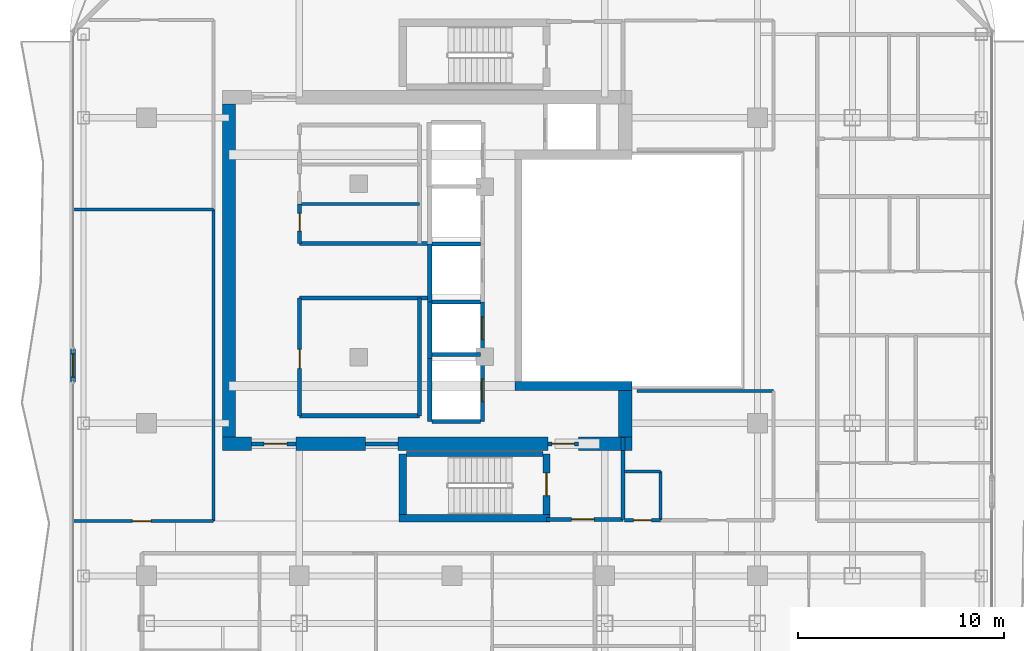
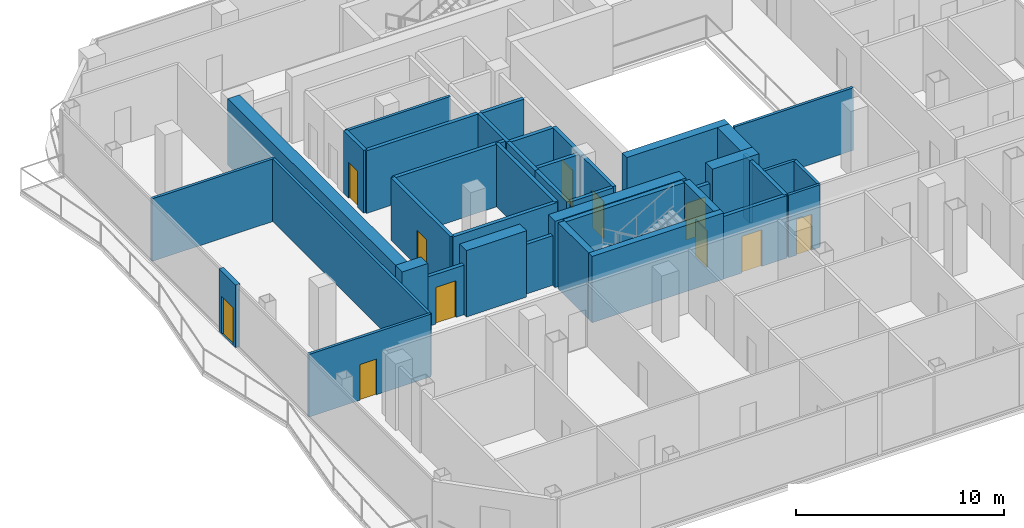
# One storey, part 21 of 27: 41 walls, 11 doors, 11 openings.
"""IFC4 building model written with IfcOpenShell, lengths in metres."""

from ifc_helpers import new_model, si_unit, direction, frame, frame_2d, origin, place, context, subcontext, project, spatial, rectangle, extrude, material, layer, layer_set, type_object, element, fill, save


model = new_model("IFC4")

# Units and contexts
model_context = context("Model", 3, precision=1e-05, world=origin(), true_north=direction((0.0, 1.0)))
body_context = subcontext(model_context, "Body", "Model", "MODEL_VIEW")
ifc_project = project(units=[si_unit("LENGTHUNIT", "METRE"), si_unit("AREAUNIT", "SQUARE_METRE"), si_unit("VOLUMEUNIT", "CUBIC_METRE"), si_unit("PLANEANGLEUNIT", "RADIAN"), si_unit("MASSUNIT", "GRAM", prefix="KILO")], contexts=[model_context])

# Site, building, storey
site_placement = place(None, origin())
site = spatial("IfcSite", under=ifc_project, at=site_placement, CompositionType="ELEMENT")
building_placement = place(site_placement, origin())
building = spatial("IfcBuilding", under=site, at=building_placement, Name="Khorvyn Point Tower", CompositionType="ELEMENT")
storey_placement = place(building_placement, frame((0.0, 0.0, 246.89990234375)))
storey = spatial("IfcBuildingStorey", under=building, at=storey_placement, Name="L60", CompositionType="ELEMENT", Elevation=246.89990234375)

# Wall, opening, door
ifc_material_1 = material(Name="Pale anodised aluminium rainscreen on steel stud", Category="steel")
ifc_layer_1 = layer(ifc_material_1, 0.239990234375)
ifc_layer_set_1 = layer_set([ifc_layer_1], Name="Anodised Aluminium Insulated Corner Spandrel Wall 240")
wall_type_1 = type_object("IfcWallType", Name="Anodised Aluminium Insulated Corner Spandrel Wall 240", PredefinedType="SOLIDWALL", material=ifc_layer_set_1)
wall_1_placement = place(storey_placement, frame((-18.35009765625, -5.39501953125, 0.0), z_axis=(0.0, 0.0, 1.0), x_axis=(0.0, 1.0, 0.0)))
wall_1 = element("IfcWall", 1, at=wall_1_placement, inside=storey, type_object=wall_type_1, Name="L60 West Outdoor Threshold Wall", PredefinedType="SOLIDWALL", context=body_context, shape_type="SweptSolid", body=[
    extrude(rectangle(XDim=1.580078125, YDim=0.239990234375, at=frame_2d((0.7900390625, 0.0))), origin(), (0.0, 0.0, 1.0), 3.68017578125),
])
opening_1_placement = place(wall_1_placement, frame((0.239990234375, 0.0, 0.0)))
opening_1 = element("IfcOpeningElement", 2, at=opening_1_placement, cuts=wall_1, Name="Opening BD-1122", PredefinedType="OPENING", context=body_context, shape_type="SweptSolid", body=[
    extrude(rectangle(XDim=1.10009765625, YDim=2.199951171875, at=frame_2d((0.550048828125, 1.10009765625))), frame((0.0, 0.1298828125, 0.0), z_axis=(0.0, -1.0, 0.0), x_axis=(1.0, 0.0, 0.0)), (0.0, 0.0, 1.0), 0.260009765625),
])
ifc_material_2 = material(Name="Anodised aluminium 6063-T6 and laminated Low-E glass", Category="aluminium")
door_type_1 = type_object("IfcDoorType", Name="Glazed Balcony and Terrace Threshold Door 1100x2200", OperationType="NOTDEFINED", PredefinedType="DOOR", material=ifc_material_2)
door_1_placement = place(opening_1_placement, origin())
door_1 = element("IfcDoor", 3, at=door_1_placement, inside=storey, type_object=door_type_1, Name="L60 West Glazed Balcony Outdoor Door", OperationType="SINGLE_SWING_RIGHT", OverallHeight=2.199951171875, OverallWidth=1.10009765625, PredefinedType="DOOR", context=body_context, shape_type="SweptSolid", body=[
    extrude(rectangle(XDim=1.10009765625, YDim=2.199951171875, at=frame_2d((0.550048828125, 1.10009765625))), frame((0.0, 0.02490234375, 0.0), z_axis=(0.0, -1.0, 0.0), x_axis=(1.0, 0.0, 0.0)), (0.0, 0.0, 1.0), 0.050048828125),
])
fill(opening_1, door_1)

# Walls
ifc_material_3 = material(Name="Concrete C40/50", Category="concrete")
ifc_layer_2 = layer(ifc_material_3, 0.449951171875)
ifc_layer_set_2 = layer_set([ifc_layer_2], Name="Concrete C40/50 Core Shear Wall 450")
wall_type_2 = type_object("IfcWallType", Name="Concrete C40/50 Core Shear Wall 450", PredefinedType="SHEAR", material=ifc_layer_set_2)
wall_2_placement = place(storey_placement, frame((3.044921875, -5.60009765625, 0.0), z_axis=(0.0, 0.0, 1.0), x_axis=(1.0, 0.0, 0.0)))
element("IfcWall", 4, at=wall_2_placement, inside=storey, type_object=wall_type_2, Name="Wall", PredefinedType="SHEAR", context=body_context, shape_type="SweptSolid", body=[
    extrude(rectangle(XDim=5.68017578125, YDim=0.449951171875, at=frame_2d((2.840087890625, 0.0))), origin(), (0.0, 0.0, 1.0), 3.900146484375),
])
ifc_layer_3 = layer(ifc_material_3, 0.64990234375)
ifc_layer_set_3 = layer_set([ifc_layer_3], Name="Concrete C40/50 Core Shear Wall 650")
wall_type_3 = type_object("IfcWallType", Name="Concrete C40/50 Core Shear Wall 650", PredefinedType="SHEAR", material=ifc_layer_set_3)
wall_3_placement = place(storey_placement, frame((-11.125, -8.39990234375, 0.0), z_axis=(0.0, 0.0, 1.0), x_axis=(1.0, 0.0, 0.0)))
element("IfcWall", 5, at=wall_3_placement, inside=storey, type_object=wall_type_3, Name="Wall", PredefinedType="SHEAR", context=body_context, shape_type="SweptSolid", body=[
    extrude(rectangle(XDim=1.425048828125, YDim=0.64990234375, at=frame_2d((0.71240234375, 0.0))), origin(), (0.0, 0.0, 1.0), 3.900146484375),
])
wall_4_placement = place(storey_placement, frame((-7.550048828125, -8.39990234375, 0.0), z_axis=(0.0, 0.0, 1.0), x_axis=(1.0, 0.0, 0.0)))
element("IfcWall", 6, at=wall_4_placement, inside=storey, type_object=wall_type_3, Name="Wall", PredefinedType="SHEAR", context=body_context, shape_type="SweptSolid", body=[
    extrude(rectangle(XDim=3.35009765625, YDim=0.64990234375, at=frame_2d((1.675048828125, 0.0))), origin(), (0.0, 0.0, 1.0), 3.900146484375),
])
wall_5_placement = place(storey_placement, frame((-2.6201171875, -8.39990234375, 0.0), z_axis=(0.0, 0.0, 1.0), x_axis=(1.0, 0.0, 0.0)))
element("IfcWall", 7, at=wall_5_placement, inside=storey, type_object=wall_type_3, Name="Wall", PredefinedType="SHEAR", context=body_context, shape_type="SweptSolid", body=[
    extrude(rectangle(XDim=7.27001953125, YDim=0.64990234375, at=frame_2d((3.635009765625, 0.0))), origin(), (0.0, 0.0, 1.0), 3.900146484375),
])
wall_6_placement = place(storey_placement, frame((6.1201171875, -8.39990234375, 0.0), z_axis=(0.0, 0.0, 1.0), x_axis=(1.0, 0.0, 0.0)))
element("IfcWall", 8, at=wall_6_placement, inside=storey, type_object=wall_type_3, Name="Wall", PredefinedType="SHEAR", context=body_context, shape_type="SweptSolid", body=[
    extrude(rectangle(XDim=2.60498046875, YDim=0.64990234375, at=frame_2d((1.302490234375, 0.0))), origin(), (0.0, 0.0, 1.0), 3.900146484375),
])
wall_7_placement = place(storey_placement, frame((-10.800048828125, -8.074951171875, 0.0), z_axis=(0.0, 0.0, 1.0), x_axis=(0.0, 1.0, 0.0)))
element("IfcWall", 9, at=wall_7_placement, inside=storey, type_object=wall_type_3, Name="Wall", PredefinedType="SHEAR", context=body_context, shape_type="SweptSolid", body=[
    extrude(rectangle(XDim=16.14990234375, YDim=0.64990234375, at=frame_2d((8.074951171875, 0.0))), origin(), (0.0, 0.0, 1.0), 3.900146484375),
])
wall_8_placement = place(storey_placement, frame((8.39990234375, -8.074951171875, 0.0), z_axis=(0.0, 0.0, 1.0), x_axis=(0.0, 1.0, 0.0)))
element("IfcWall", 10, at=wall_8_placement, inside=storey, type_object=wall_type_3, Name="Wall", PredefinedType="SHEAR", context=body_context, shape_type="SweptSolid", body=[
    extrude(rectangle(XDim=2.25, YDim=0.64990234375, at=frame_2d((1.125, 0.0))), origin(), (0.0, 0.0, 1.0), 3.900146484375),
])

# Wall, opening, door
ifc_layer_4 = layer(ifc_material_3, 0.199951171875)
ifc_layer_set_4 = layer_set([ifc_layer_4], Name="Concrete C40/50 Fire-Lobby Compartment Wall 200")
wall_type_4 = type_object("IfcWallType", Name="Concrete C40/50 Fire-Lobby Compartment Wall 200", PredefinedType="SOLIDWALL", material=ifc_layer_set_4)
wall_9_placement = place(storey_placement, frame((4.580078125, -12.06005859375, 0.0), z_axis=(0.0, 0.0, 1.0), x_axis=(1.0, 0.0, 0.0)))
wall_9 = element("IfcWall", 11, at=wall_9_placement, inside=storey, type_object=wall_type_4, Name="Wall", PredefinedType="SOLIDWALL", context=body_context, shape_type="SweptSolid", body=[
    extrude(rectangle(XDim=3.699951171875, YDim=0.199951171875, at=frame_2d((1.85009765625, 0.0))), origin(), (0.0, 0.0, 1.0), 3.68017578125),
])
opening_2_placement = place(wall_9_placement, frame((1.21240234375, 0.0, 0.0)))
opening_2 = element("IfcOpeningElement", 12, at=opening_2_placement, cuts=wall_9, Name="Opening ID-FL90", PredefinedType="OPENING", context=body_context, shape_type="SweptSolid", body=[
    extrude(rectangle(XDim=1.10009765625, YDim=2.14990234375, at=frame_2d((0.550048828125, 1.074951171875))), frame((0.0, 0.10986328125, 0.0), z_axis=(0.0, -1.0, 0.0), x_axis=(1.0, 0.0, 0.0)), (0.0, 0.0, 1.0), 0.219970703125),
])
ifc_material_4 = material(Name="Galvanised powder-coated steel", Category="steel")
door_type_2 = type_object("IfcDoorType", Name="Fire-Rated Steel Lobby and Stair Door 1100x2150", OperationType="NOTDEFINED", PredefinedType="DOOR", material=ifc_material_4)
door_2_placement = place(opening_2_placement, origin())
door_2 = element("IfcDoor", 13, at=door_2_placement, inside=storey, type_object=door_type_2, Name="Door", OperationType="SINGLE_SWING_LEFT", OverallHeight=2.14990234375, OverallWidth=1.10009765625, PredefinedType="DOOR", context=body_context, shape_type="SweptSolid", body=[
    extrude(rectangle(XDim=1.10009765625, YDim=2.14990234375, at=frame_2d((0.550048828125, 1.074951171875))), frame((0.0, 0.02490234375, 0.0), z_axis=(0.0, -1.0, 0.0), x_axis=(1.0, 0.0, 0.0)), (0.0, 0.0, 1.0), 0.050048828125),
])
fill(opening_2, door_2)

wall_10_placement = place(storey_placement, frame((4.64990234375, -8.39990234375, 0.0), z_axis=(0.0, 0.0, 1.0), x_axis=(1.0, 0.0, 0.0)))
wall_10 = element("IfcWall", 14, at=wall_10_placement, inside=storey, type_object=wall_type_4, Name="Wall", PredefinedType="SOLIDWALL", context=body_context, shape_type="SweptSolid", body=[
    extrude(rectangle(XDim=1.47021484375, YDim=0.199951171875, at=frame_2d((0.735107421875, 0.0))), origin(), (0.0, 0.0, 1.0), 2.920166015625),
])
opening_3_placement = place(wall_10_placement, frame((0.18505859375, 0.0, 0.0)))
opening_3 = element("IfcOpeningElement", 15, at=opening_3_placement, cuts=wall_10, Name="Opening ID-FL90", PredefinedType="OPENING", context=body_context, shape_type="SweptSolid", body=[
    extrude(rectangle(XDim=1.10009765625, YDim=2.14990234375, at=frame_2d((0.550048828125, 1.074951171875))), frame((0.0, 0.10986328125, 0.0), z_axis=(0.0, -1.0, 0.0), x_axis=(1.0, 0.0, 0.0)), (0.0, 0.0, 1.0), 0.219970703125),
])
door_3_placement = place(opening_3_placement, origin())
door_3 = element("IfcDoor", 16, at=door_3_placement, inside=storey, type_object=door_type_2, Name="Door", OperationType="SINGLE_SWING_RIGHT", OverallHeight=2.14990234375, OverallWidth=1.10009765625, PredefinedType="DOOR", context=body_context, shape_type="SweptSolid", body=[
    extrude(rectangle(XDim=1.10009765625, YDim=2.14990234375, at=frame_2d((0.550048828125, 1.074951171875))), frame((0.0, 0.02490234375, 0.0), z_axis=(0.0, -1.0, 0.0), x_axis=(1.0, 0.0, 0.0)), (0.0, 0.0, 1.0), 0.050048828125),
])
fill(opening_3, door_3)

wall_11_placement = place(storey_placement, frame((-9.699951171875, -8.39990234375, 0.0), z_axis=(0.0, 0.0, 1.0), x_axis=(1.0, 0.0, 0.0)))
wall_11 = element("IfcWall", 17, at=wall_11_placement, inside=storey, type_object=wall_type_4, Name="Wall", PredefinedType="SOLIDWALL", context=body_context, shape_type="SweptSolid", body=[
    extrude(rectangle(XDim=2.14990234375, YDim=0.199951171875, at=frame_2d((1.074951171875, 0.0))), origin(), (0.0, 0.0, 1.0), 2.920166015625),
])
opening_4_placement = place(wall_11_placement, frame((0.597900390625, 0.0, 0.0)))
opening_4 = element("IfcOpeningElement", 18, at=opening_4_placement, cuts=wall_11, Name="Opening ID-FL90", PredefinedType="OPENING", context=body_context, shape_type="SweptSolid", body=[
    extrude(rectangle(XDim=1.10009765625, YDim=2.14990234375, at=frame_2d((0.550048828125, 1.074951171875))), frame((0.0, 0.10986328125, 0.0), z_axis=(0.0, -1.0, 0.0), x_axis=(1.0, 0.0, 0.0)), (0.0, 0.0, 1.0), 0.219970703125),
])
door_4_placement = place(opening_4_placement, origin())
door_4 = element("IfcDoor", 19, at=door_4_placement, inside=storey, type_object=door_type_2, Name="Door", OperationType="SINGLE_SWING_RIGHT", OverallHeight=2.14990234375, OverallWidth=1.10009765625, PredefinedType="DOOR", context=body_context, shape_type="SweptSolid", body=[
    extrude(rectangle(XDim=1.10009765625, YDim=2.14990234375, at=frame_2d((0.550048828125, 1.074951171875))), frame((0.0, 0.02490234375, 0.0), z_axis=(0.0, -1.0, 0.0), x_axis=(1.0, 0.0, 0.0)), (0.0, 0.0, 1.0), 0.050048828125),
])
fill(opening_4, door_4)

wall_12_placement = place(storey_placement, frame((-7.3798828125, -7.0400390625, 0.0), z_axis=(0.0, 0.0, 1.0), x_axis=(0.0, 1.0, 0.0)))
wall_12 = element("IfcWall", 20, at=wall_12_placement, inside=storey, type_object=wall_type_4, Name="Wall", PredefinedType="SOLIDWALL", context=body_context, shape_type="SweptSolid", body=[
    extrude(rectangle(XDim=5.699951171875, YDim=0.199951171875, at=frame_2d((2.85009765625, 0.0))), origin(), (0.0, 0.0, 1.0), 3.68017578125),
])
opening_5_placement = place(wall_12_placement, frame((2.30078125, 0.0, 0.0)))
opening_5 = element("IfcOpeningElement", 21, at=opening_5_placement, cuts=wall_12, Name="Opening ID-RS60", PredefinedType="OPENING", context=body_context, shape_type="SweptSolid", body=[
    extrude(rectangle(XDim=0.919921875, YDim=2.10009765625, at=frame_2d((0.4599609375, 1.050048828125))), frame((0.0, 0.10986328125, 0.0), z_axis=(0.0, -1.0, 0.0), x_axis=(1.0, 0.0, 0.0)), (0.0, 0.0, 1.0), 0.219970703125),
])
door_type_3 = type_object("IfcDoorType", Name="Fire-Rated Riser and Store Steel Door 920x2100", OperationType="NOTDEFINED", PredefinedType="DOOR", material=ifc_material_4)
door_5_placement = place(opening_5_placement, origin())
door_5 = element("IfcDoor", 22, at=door_5_placement, inside=storey, type_object=door_type_3, Name="Door", OperationType="SINGLE_SWING_RIGHT", OverallHeight=2.10009765625, OverallWidth=0.919921875, PredefinedType="DOOR", context=body_context, shape_type="SweptSolid", body=[
    extrude(rectangle(XDim=0.919921875, YDim=2.10009765625, at=frame_2d((0.4599609375, 1.050048828125))), frame((0.0, 0.02490234375, 0.0), z_axis=(0.0, -1.0, 0.0), x_axis=(1.0, 0.0, 0.0)), (0.0, 0.0, 1.0), 0.050048828125),
])
fill(opening_5, door_5)

wall_13_placement = place(storey_placement, frame((-7.3798828125, 1.300048828125, 0.0), z_axis=(0.0, 0.0, 1.0), x_axis=(0.0, 1.0, 0.0)))
wall_13 = element("IfcWall", 23, at=wall_13_placement, inside=storey, type_object=wall_type_4, Name="Wall", PredefinedType="SOLIDWALL", context=body_context, shape_type="SweptSolid", body=[
    extrude(rectangle(XDim=1.919921875, YDim=0.199951171875, at=frame_2d((0.9599609375, 0.0))), origin(), (0.0, 0.0, 1.0), 3.68017578125),
])
opening_6_placement = place(wall_13_placement, frame((0.610107421875, 0.0, 0.0)))
opening_6 = element("IfcOpeningElement", 24, at=opening_6_placement, cuts=wall_13, Name="Opening ID-WC85", PredefinedType="OPENING", context=body_context, shape_type="SweptSolid", body=[
    extrude(rectangle(XDim=0.85009765625, YDim=2.10009765625, at=frame_2d((0.425048828125, 1.050048828125))), frame((0.0, 0.10986328125, 0.0), z_axis=(0.0, -1.0, 0.0), x_axis=(1.0, 0.0, 0.0)), (0.0, 0.0, 1.0), 0.219970703125),
])
ifc_material_5 = material(Name="High-pressure laminate on moisture-resistant core", Category="wood")
door_type_4 = type_object("IfcDoorType", Name="Moisture-Resistant Accessible Washroom Door 850x2100", OperationType="NOTDEFINED", PredefinedType="DOOR", material=ifc_material_5)
door_6_placement = place(opening_6_placement, origin())
door_6 = element("IfcDoor", 25, at=door_6_placement, inside=storey, type_object=door_type_4, Name="Door", OperationType="SINGLE_SWING_LEFT", OverallHeight=2.10009765625, OverallWidth=0.85009765625, PredefinedType="DOOR", context=body_context, shape_type="SweptSolid", body=[
    extrude(rectangle(XDim=0.85009765625, YDim=2.10009765625, at=frame_2d((0.425048828125, 1.050048828125))), frame((0.0, 0.02490234375, 0.0), z_axis=(0.0, -1.0, 0.0), x_axis=(1.0, 0.0, 0.0)), (0.0, 0.0, 1.0), 0.050048828125),
])
fill(opening_6, door_6)

# Walls
wall_14_placement = place(storey_placement, frame((8.280029296875, -12.06005859375, 0.0), z_axis=(0.0, 0.0, 1.0), x_axis=(0.0, 1.0, 0.0)))
element("IfcWall", 26, at=wall_14_placement, inside=storey, type_object=wall_type_4, Name="Wall", PredefinedType="SOLIDWALL", context=body_context, shape_type="SweptSolid", body=[
    extrude(rectangle(XDim=3.3349609375, YDim=0.199951171875, at=frame_2d((1.66748046875, 0.0))), origin(), (0.0, 0.0, 1.0), 3.68017578125),
])
wall_15_placement = place(storey_placement, frame((-4.199951171875, -8.39990234375, 0.0), z_axis=(0.0, 0.0, 1.0), x_axis=(1.0, 0.0, 0.0)))
element("IfcWall", 27, at=wall_15_placement, inside=storey, type_object=wall_type_4, Name="Wall", PredefinedType="SOLIDWALL", context=body_context, shape_type="SweptSolid", body=[
    extrude(rectangle(XDim=1.579833984375, YDim=0.199951171875, at=frame_2d((0.7900390625, 0.0))), origin(), (0.0, 0.0, 1.0), 2.920166015625),
])
for number, where, z_axis, x_axis, name in (
    (28, (-7.3798828125, -1.340087890625, 0.0), (0.0, 0.0, 1.0), (1.0, 0.0, 0.0), "Wall"),
    (29, (-7.3798828125, 1.300048828125, 0.0), (0.0, 0.0, 1.0), (1.0, 0.0, 0.0), "Wall"),
):
    element("IfcWall", number, at=place(storey_placement, frame(where, z_axis=z_axis, x_axis=x_axis)), inside=storey, type_object=wall_type_4, Name=name, PredefinedType="SOLIDWALL", context=body_context, shape_type="SweptSolid", body=[
        extrude(rectangle(XDim=6.239990234375, YDim=0.199951171875, at=frame_2d((3.1201171875, 0.0))), origin(), (0.0, 0.0, 1.0), 3.68017578125),
    ])
wall_16_placement = place(storey_placement, frame((-1.580078125, -7.0400390625, 0.0), z_axis=(0.0, 0.0, 1.0), x_axis=(0.0, 1.0, 0.0)))
element("IfcWall", 30, at=wall_16_placement, inside=storey, type_object=wall_type_4, Name="Wall", PredefinedType="SOLIDWALL", context=body_context, shape_type="SweptSolid", body=[
    extrude(rectangle(XDim=5.699951171875, YDim=0.199951171875, at=frame_2d((2.85009765625, 0.0))), origin(), (0.0, 0.0, 1.0), 3.68017578125),
])
wall_17_placement = place(storey_placement, frame((-7.3798828125, -7.0400390625, 0.0), z_axis=(0.0, 0.0, 1.0), x_axis=(1.0, 0.0, 0.0)))
element("IfcWall", 31, at=wall_17_placement, inside=storey, type_object=wall_type_4, Name="Wall", PredefinedType="SOLIDWALL", context=body_context, shape_type="SweptSolid", body=[
    extrude(rectangle(XDim=5.7998046875, YDim=0.199951171875, at=frame_2d((2.89990234375, 0.0))), origin(), (0.0, 0.0, 1.0), 3.68017578125),
])
wall_18_placement = place(storey_placement, frame((8.280029296875, -8.72509765625, 0.0), z_axis=(0.0, 0.0, 1.0), x_axis=(0.0, 1.0, 0.0)))
element("IfcWall", 32, at=wall_18_placement, inside=storey, type_object=wall_type_4, Name="Wall", PredefinedType="SOLIDWALL", context=body_context, shape_type="SweptSolid", body=[
    extrude(rectangle(XDim=0.625, YDim=0.199951171875, at=frame_2d((0.3125, 0.0))), origin(), (0.0, 0.0, 1.0), 3.68017578125),
])
ifc_layer_5 = layer(ifc_material_3, 0.25)
ifc_layer_set_5 = layer_set([ifc_layer_5], Name="Concrete C40/50 Stair Inner Cheek Structural Wall 250")
wall_type_5 = type_object("IfcWallType", Name="Concrete C40/50 Stair Inner Cheek Structural Wall 250", PredefinedType="SHEAR", material=ifc_layer_set_5)
wall_19_placement = place(storey_placement, frame((-2.199951171875, -8.89990234375, 0.0), z_axis=(0.0, 0.0, 1.0), x_axis=(1.0, 0.0, 0.0)))
element("IfcWall", 33, at=wall_19_placement, inside=storey, type_object=wall_type_5, Name="Wall", PredefinedType="SHEAR", context=body_context, shape_type="SweptSolid", body=[
    extrude(rectangle(XDim=6.599853515625, YDim=0.25, at=frame_2d((3.2998046875, 0.0))), origin(), (0.0, 0.0, 1.0), 3.900146484375),
])
ifc_layer_6 = layer(ifc_material_3, 0.35009765625)
ifc_layer_set_6 = layer_set([ifc_layer_6], Name="Concrete C40/50 Stair Shaft Structural Wall 350")
wall_type_6 = type_object("IfcWallType", Name="Concrete C40/50 Stair Shaft Structural Wall 350", PredefinedType="SHEAR", material=ifc_layer_set_6)
wall_20_placement = place(storey_placement, frame((-2.554931640625, -12.0, 0.0), z_axis=(0.0, 0.0, 1.0), x_axis=(1.0, 0.0, 0.0)))
element("IfcWall", 34, at=wall_20_placement, inside=storey, type_object=wall_type_6, Name="L60 ST-01 South Shaft Wall", PredefinedType="SHEAR", context=body_context, shape_type="SweptSolid", body=[
    extrude(rectangle(XDim=7.309814453125, YDim=0.35009765625, at=frame_2d((3.65478515625, 0.0))), origin(), (0.0, 0.0, 1.0), 3.900146484375),
])
wall_21_placement = place(storey_placement, frame((-2.3798828125, -11.824951171875, 0.0), z_axis=(0.0, 0.0, 1.0), x_axis=(0.0, 1.0, 0.0)))
element("IfcWall", 35, at=wall_21_placement, inside=storey, type_object=wall_type_6, Name="L60 ST-01 West Shaft Wall", PredefinedType="SHEAR", context=body_context, shape_type="SweptSolid", body=[
    extrude(rectangle(XDim=2.925048828125, YDim=0.35009765625, at=frame_2d((1.46240234375, 0.0))), origin(), (0.0, 0.0, 1.0), 3.900146484375),
])

# Wall, opening, door
wall_22_placement = place(storey_placement, frame((4.580078125, -8.89990234375, 0.0), z_axis=(0.0, 0.0, 1.0), x_axis=(0.0, -1.0, 0.0)))
wall_22 = element("IfcWall", 36, at=wall_22_placement, inside=storey, type_object=wall_type_6, Name="L60 ST-01 East Landing Door Wall", PredefinedType="SHEAR", context=body_context, shape_type="SweptSolid", body=[
    extrude(rectangle(XDim=2.925048828125, YDim=0.35009765625, at=frame_2d((1.46240234375, 0.0))), origin(), (0.0, 0.0, 1.0), 3.900146484375),
])
opening_7_placement = place(wall_22_placement, frame((0.91259765625, 0.0, 0.0)))
opening_7 = element("IfcOpeningElement", 37, at=opening_7_placement, cuts=wall_22, Name="Opening ID-FL90", PredefinedType="OPENING", context=body_context, shape_type="SweptSolid", body=[
    extrude(rectangle(XDim=1.10009765625, YDim=2.14990234375, at=frame_2d((0.550048828125, 1.074951171875))), frame((0.0, 0.18505859375, 0.0), z_axis=(0.0, -1.0, 0.0), x_axis=(1.0, 0.0, 0.0)), (0.0, 0.0, 1.0), 0.3701171875),
])
door_7_placement = place(opening_7_placement, origin())
door_7 = element("IfcDoor", 38, at=door_7_placement, inside=storey, type_object=door_type_2, Name="L60 ST-01 Smokeproof Landing Door", OperationType="SINGLE_SWING_RIGHT", OverallHeight=2.14990234375, OverallWidth=1.10009765625, PredefinedType="DOOR", context=body_context, shape_type="SweptSolid", body=[
    extrude(rectangle(XDim=1.10009765625, YDim=2.14990234375, at=frame_2d((0.550048828125, 1.074951171875))), frame((0.0, 0.02490234375, 0.0), z_axis=(0.0, -1.0, 0.0), x_axis=(1.0, 0.0, 0.0)), (0.0, 0.0, 1.0), 0.050048828125),
])
fill(opening_7, door_7)

# Wall
ifc_layer_7 = layer(ifc_material_3, 0.199951171875)
ifc_layer_set_7 = layer_set([ifc_layer_7], Name="Concrete C40/50 Structural Hoistway and Stair Shaft Wall 200")
wall_type_7 = type_object("IfcWallType", Name="Concrete C40/50 Structural Hoistway and Stair Shaft Wall 200", PredefinedType="SHEAR", material=ifc_layer_set_7)
wall_23_placement = place(storey_placement, frame((-1.074951171875, -4.27490234375, 0.0), z_axis=(0.0, 0.0, 1.0), x_axis=(0.0, 1.0, 0.0)))
element("IfcWall", 39, at=wall_23_placement, inside=storey, type_object=wall_type_7, Name="Wall", PredefinedType="SHEAR", context=body_context, shape_type="SweptSolid", body=[
    extrude(rectangle(XDim=2.75, YDim=0.199951171875, at=frame_2d((1.375, 0.0))), origin(), (0.0, 0.0, 1.0), 3.68017578125),
])

# Wall, opening, door
wall_24_placement = place(storey_placement, frame((1.47509765625, -4.27490234375, 0.0), z_axis=(0.0, 0.0, 1.0), x_axis=(0.0, 1.0, 0.0)))
wall_24 = element("IfcWall", 40, at=wall_24_placement, inside=storey, type_object=wall_type_7, Name="Wall", PredefinedType="SHEAR", context=body_context, shape_type="SweptSolid", body=[
    extrude(rectangle(XDim=2.75, YDim=0.199951171875, at=frame_2d((1.375, 0.0))), origin(), (0.0, 0.0, 1.0), 3.68017578125),
])
opening_8_placement = place(wall_24_placement, frame((0.925048828125, 0.0, 0.0)))
opening_8 = element("IfcOpeningElement", 41, at=opening_8_placement, cuts=wall_24, Name="Opening LD-1122", PredefinedType="OPENING", context=body_context, shape_type="SweptSolid", body=[
    extrude(rectangle(XDim=1.10009765625, YDim=2.199951171875, at=frame_2d((0.550048828125, 1.10009765625))), frame((0.0, 0.10986328125, 0.0), z_axis=(0.0, -1.0, 0.0), x_axis=(1.0, 0.0, 0.0)), (0.0, 0.0, 1.0), 0.219970703125),
])
ifc_material_6 = material(Name="Stainless steel 1.4301", Category="steel")
door_type_5 = type_object("IfcDoorType", Name="Stainless Steel Automatic Sliding Lift Landing Door 1100x2200", OperationType="SLIDING_TO_LEFT", PredefinedType="DOOR", material=ifc_material_6)
door_8_placement = place(opening_8_placement, origin())
door_8 = element("IfcDoor", 42, at=door_8_placement, inside=storey, type_object=door_type_5, Name="L60 RH-01 Sliding Lift Landing Door", OperationType="SLIDING_TO_LEFT", OverallHeight=2.199951171875, OverallWidth=1.10009765625, PredefinedType="DOOR", context=body_context, shape_type="SweptSolid", body=[
    extrude(rectangle(XDim=1.10009765625, YDim=2.199951171875, at=frame_2d((0.550048828125, 1.10009765625))), frame((0.0, 0.02490234375, 0.0), z_axis=(0.0, -1.0, 0.0), x_axis=(1.0, 0.0, 0.0)), (0.0, 0.0, 1.0), 0.050048828125),
])
fill(opening_8, door_8)

# Walls
for number, where, z_axis, x_axis, name in (
    (43, (-0.97509765625, -4.074951171875, 0.0), (0.0, 0.0, 1.0), (1.0, 0.0, 0.0), "Wall"),
    (44, (-0.97509765625, -1.52490234375, 0.0), (0.0, 0.0, 1.0), (1.0, 0.0, 0.0), "Wall"),
):
    element("IfcWall", number, at=place(storey_placement, frame(where, z_axis=z_axis, x_axis=x_axis)), inside=storey, type_object=wall_type_7, Name=name, PredefinedType="SHEAR", context=body_context, shape_type="SweptSolid", body=[
        extrude(rectangle(XDim=2.35009765625, YDim=0.199951171875, at=frame_2d((1.175048828125, 0.0))), origin(), (0.0, 0.0, 1.0), 3.68017578125),
    ])
wall_25_placement = place(storey_placement, frame((-1.074951171875, -1.52490234375, 0.0), z_axis=(0.0, 0.0, 1.0), x_axis=(0.0, 1.0, 0.0)))
element("IfcWall", 45, at=wall_25_placement, inside=storey, type_object=wall_type_7, Name="Wall", PredefinedType="SHEAR", context=body_context, shape_type="SweptSolid", body=[
    extrude(rectangle(XDim=2.7998046875, YDim=0.199951171875, at=frame_2d((1.39990234375, 0.0))), origin(), (0.0, 0.0, 1.0), 3.68017578125),
])
wall_26_placement = place(storey_placement, frame((-0.97509765625, 1.27490234375, 0.0), z_axis=(0.0, 0.0, 1.0), x_axis=(1.0, 0.0, 0.0)))
element("IfcWall", 46, at=wall_26_placement, inside=storey, type_object=wall_type_7, Name="Wall", PredefinedType="SHEAR", context=body_context, shape_type="SweptSolid", body=[
    extrude(rectangle(XDim=2.35009765625, YDim=0.199951171875, at=frame_2d((1.175048828125, 0.0))), origin(), (0.0, 0.0, 1.0), 3.68017578125),
])
wall_27_placement = place(storey_placement, frame((-1.074951171875, -7.324951171875, 0.0), z_axis=(0.0, 0.0, 1.0), x_axis=(0.0, 1.0, 0.0)))
element("IfcWall", 47, at=wall_27_placement, inside=storey, type_object=wall_type_7, Name="Wall", PredefinedType="SHEAR", context=body_context, shape_type="SweptSolid", body=[
    extrude(rectangle(XDim=3.050048828125, YDim=0.199951171875, at=frame_2d((1.52490234375, 0.0))), origin(), (0.0, 0.0, 1.0), 3.68017578125),
])

# Wall, opening, door
wall_28_placement = place(storey_placement, frame((1.47509765625, -7.324951171875, 0.0), z_axis=(0.0, 0.0, 1.0), x_axis=(0.0, 1.0, 0.0)))
wall_28 = element("IfcWall", 48, at=wall_28_placement, inside=storey, type_object=wall_type_7, Name="Wall", PredefinedType="SHEAR", context=body_context, shape_type="SweptSolid", body=[
    extrude(rectangle(XDim=3.050048828125, YDim=0.199951171875, at=frame_2d((1.52490234375, 0.0))), origin(), (0.0, 0.0, 1.0), 3.68017578125),
])
opening_9_placement = place(wall_28_placement, frame((0.97509765625, 0.0, 0.0)))
opening_9 = element("IfcOpeningElement", 49, at=opening_9_placement, cuts=wall_28, Name="Opening LD-1122", PredefinedType="OPENING", context=body_context, shape_type="SweptSolid", body=[
    extrude(rectangle(XDim=1.10009765625, YDim=2.199951171875, at=frame_2d((0.550048828125, 1.10009765625))), frame((0.0, 0.10986328125, 0.0), z_axis=(0.0, -1.0, 0.0), x_axis=(1.0, 0.0, 0.0)), (0.0, 0.0, 1.0), 0.219970703125),
])
door_9_placement = place(opening_9_placement, origin())
door_9 = element("IfcDoor", 50, at=door_9_placement, inside=storey, type_object=door_type_5, Name="L60 FF-01 Sliding Lift Landing Door", OperationType="SLIDING_TO_LEFT", OverallHeight=2.199951171875, OverallWidth=1.10009765625, PredefinedType="DOOR", context=body_context, shape_type="SweptSolid", body=[
    extrude(rectangle(XDim=1.10009765625, YDim=2.199951171875, at=frame_2d((0.550048828125, 1.10009765625))), frame((0.0, 0.02490234375, 0.0), z_axis=(0.0, -1.0, 0.0), x_axis=(1.0, 0.0, 0.0)), (0.0, 0.0, 1.0), 0.050048828125),
])
fill(opening_9, door_9)

# Wall
wall_29_placement = place(storey_placement, frame((-0.97509765625, -7.324951171875, 0.0), z_axis=(0.0, 0.0, 1.0), x_axis=(1.0, 0.0, 0.0)))
element("IfcWall", 51, at=wall_29_placement, inside=storey, type_object=wall_type_7, Name="Wall", PredefinedType="SHEAR", context=body_context, shape_type="SweptSolid", body=[
    extrude(rectangle(XDim=2.35009765625, YDim=0.199951171875, at=frame_2d((1.175048828125, 0.0))), origin(), (0.0, 0.0, 1.0), 3.68017578125),
])

# Wall, opening, door
ifc_material_7 = material(Name="Moisture-resistant gypsum and cement board", Category="gypsum")
ifc_layer_8 = layer(ifc_material_7, 0.14990234375)
ifc_layer_set_8 = layer_set([ifc_layer_8], Name="Moisture-Resistant Wet-Room Partition Wall 150")
wall_type_8 = type_object("IfcWallType", Name="Moisture-Resistant Wet-Room Partition Wall 150", PredefinedType="PARTITIONING", material=ifc_layer_set_8)
wall_30_placement = place(storey_placement, frame((8.360107421875, -12.10009765625, 0.0), z_axis=(0.0, 0.0, 1.0), x_axis=(1.0, 0.0, 0.0)))
wall_30 = element("IfcWall", 52, at=wall_30_placement, inside=storey, type_object=wall_type_8, Name="Wall", PredefinedType="PARTITIONING", context=body_context, shape_type="SweptSolid", body=[
    extrude(rectangle(XDim=1.739990234375, YDim=0.14990234375, at=frame_2d((0.8701171875, 0.0))), origin(), (0.0, 0.0, 1.0), 3.68017578125),
])
opening_10_placement = place(wall_30_placement, frame((0.445068359375, 0.0, 0.0)))
opening_10 = element("IfcOpeningElement", 53, at=opening_10_placement, cuts=wall_30, Name="Opening ID-WC85", PredefinedType="OPENING", context=body_context, shape_type="SweptSolid", body=[
    extrude(rectangle(XDim=0.85009765625, YDim=2.10009765625, at=frame_2d((0.425048828125, 1.050048828125))), frame((0.0, 0.0849609375, 0.0), z_axis=(0.0, -1.0, 0.0), x_axis=(1.0, 0.0, 0.0)), (0.0, 0.0, 1.0), 0.169921875),
])
door_10_placement = place(opening_10_placement, origin())
door_10 = element("IfcDoor", 54, at=door_10_placement, inside=storey, type_object=door_type_4, Name="Door", OperationType="SINGLE_SWING_RIGHT", OverallHeight=2.10009765625, OverallWidth=0.85009765625, PredefinedType="DOOR", context=body_context, shape_type="SweptSolid", body=[
    extrude(rectangle(XDim=0.85009765625, YDim=2.10009765625, at=frame_2d((0.425048828125, 1.050048828125))), frame((0.0, 0.02490234375, 0.0), z_axis=(0.0, -1.0, 0.0), x_axis=(1.0, 0.0, 0.0)), (0.0, 0.0, 1.0), 0.050048828125),
])
fill(opening_10, door_10)

wall_31_placement = place(storey_placement, frame((-18.330078125, -12.139892578125, 0.0), z_axis=(0.0, 0.0, 1.0), x_axis=(1.0, 0.0, 0.0)))
wall_31 = element("IfcWall", 55, at=wall_31_placement, inside=storey, type_object=wall_type_8, Name="Wall", PredefinedType="PARTITIONING", context=body_context, shape_type="SweptSolid", body=[
    extrude(rectangle(XDim=6.780029296875, YDim=0.14990234375, at=frame_2d((3.39013671875, 0.0))), origin(), (0.0, 0.0, 1.0), 3.68017578125),
])
opening_11_placement = place(wall_31_placement, frame((2.850341796875, 0.0, 0.0)))
opening_11 = element("IfcOpeningElement", 56, at=opening_11_placement, cuts=wall_31, Name="Opening ID-RM90", PredefinedType="OPENING", context=body_context, shape_type="SweptSolid", body=[
    extrude(rectangle(XDim=0.89990234375, YDim=2.10009765625, at=frame_2d((0.449951171875, 1.050048828125))), frame((0.0, 0.0849609375, 0.0), z_axis=(0.0, -1.0, 0.0), x_axis=(1.0, 0.0, 0.0)), (0.0, 0.0, 1.0), 0.169921875),
])
ifc_material_8 = material(Name="Engineered oak veneer timber", Category="wood")
door_type_6 = type_object("IfcDoorType", Name="Flush Engineered Timber Room Door 900x2100", OperationType="NOTDEFINED", PredefinedType="DOOR", material=ifc_material_8)
door_11_placement = place(opening_11_placement, origin())
door_11 = element("IfcDoor", 57, at=door_11_placement, inside=storey, type_object=door_type_6, Name="Door", OperationType="SINGLE_SWING_RIGHT", OverallHeight=2.10009765625, OverallWidth=0.89990234375, PredefinedType="DOOR", context=body_context, shape_type="SweptSolid", body=[
    extrude(rectangle(XDim=0.89990234375, YDim=2.10009765625, at=frame_2d((0.449951171875, 1.050048828125))), frame((0.0, 0.02490234375, 0.0), z_axis=(0.0, -1.0, 0.0), x_axis=(1.0, 0.0, 0.0)), (0.0, 0.0, 1.0), 0.050048828125),
])
fill(opening_11, door_11)

# Walls
wall_32_placement = place(storey_placement, frame((-7.3798828125, 3.219970703125, 0.0), z_axis=(0.0, 0.0, 1.0), x_axis=(1.0, 0.0, 0.0)))
element("IfcWall", 58, at=wall_32_placement, inside=storey, type_object=wall_type_8, Name="Wall", PredefinedType="PARTITIONING", context=body_context, shape_type="SweptSolid", body=[
    extrude(rectangle(XDim=5.7998046875, YDim=0.14990234375, at=frame_2d((2.89990234375, 0.0))), origin(), (0.0, 0.0, 1.0), 3.68017578125),
])
wall_33_placement = place(storey_placement, frame((8.360107421875, -9.75, 0.0), z_axis=(0.0, 0.0, 1.0), x_axis=(1.0, 0.0, 0.0)))
element("IfcWall", 59, at=wall_33_placement, inside=storey, type_object=wall_type_8, Name="Wall", PredefinedType="PARTITIONING", context=body_context, shape_type="SweptSolid", body=[
    extrude(rectangle(XDim=1.739990234375, YDim=0.14990234375, at=frame_2d((0.8701171875, 0.0))), origin(), (0.0, 0.0, 1.0), 3.68017578125),
])
wall_34_placement = place(storey_placement, frame((10.10009765625, -12.10009765625, 0.0), z_axis=(0.0, 0.0, 1.0), x_axis=(0.0, 1.0, 0.0)))
element("IfcWall", 60, at=wall_34_placement, inside=storey, type_object=wall_type_8, Name="Wall", PredefinedType="PARTITIONING", context=body_context, shape_type="SweptSolid", body=[
    extrude(rectangle(XDim=2.35009765625, YDim=0.14990234375, at=frame_2d((1.175048828125, 0.0))), origin(), (0.0, 0.0, 1.0), 3.68017578125),
])
wall_35_placement = place(storey_placement, frame((8.9599609375, -5.85009765625, 0.0), z_axis=(0.0, 0.0, 1.0), x_axis=(1.0, 0.0, 0.0)))
element("IfcWall", 61, at=wall_35_placement, inside=storey, type_object=wall_type_8, Name="Wall", PredefinedType="PARTITIONING", context=body_context, shape_type="SweptSolid", body=[
    extrude(rectangle(XDim=6.6201171875, YDim=0.14990234375, at=frame_2d((3.31005859375, 0.0))), origin(), (0.0, 0.0, 1.0), 3.68017578125),
])
wall_36_placement = place(storey_placement, frame((-18.330078125, 2.949951171875, 0.0), z_axis=(0.0, 0.0, 1.0), x_axis=(1.0, 0.0, 0.0)))
element("IfcWall", 62, at=wall_36_placement, inside=storey, type_object=wall_type_8, Name="Wall", PredefinedType="PARTITIONING", context=body_context, shape_type="SweptSolid", body=[
    extrude(rectangle(XDim=6.780029296875, YDim=0.14990234375, at=frame_2d((3.39013671875, 0.0))), origin(), (0.0, 0.0, 1.0), 3.68017578125),
])
wall_37_placement = place(storey_placement, frame((-11.550048828125, -12.139892578125, 0.0), z_axis=(0.0, 0.0, 1.0), x_axis=(0.0, 1.0, 0.0)))
element("IfcWall", 63, at=wall_37_placement, inside=storey, type_object=wall_type_8, Name="Wall", PredefinedType="PARTITIONING", context=body_context, shape_type="SweptSolid", body=[
    extrude(rectangle(XDim=15.08984375, YDim=0.14990234375, at=frame_2d((7.544921875, 0.0))), origin(), (0.0, 0.0, 1.0), 3.68017578125),
])

save(model, "model.ifc")
